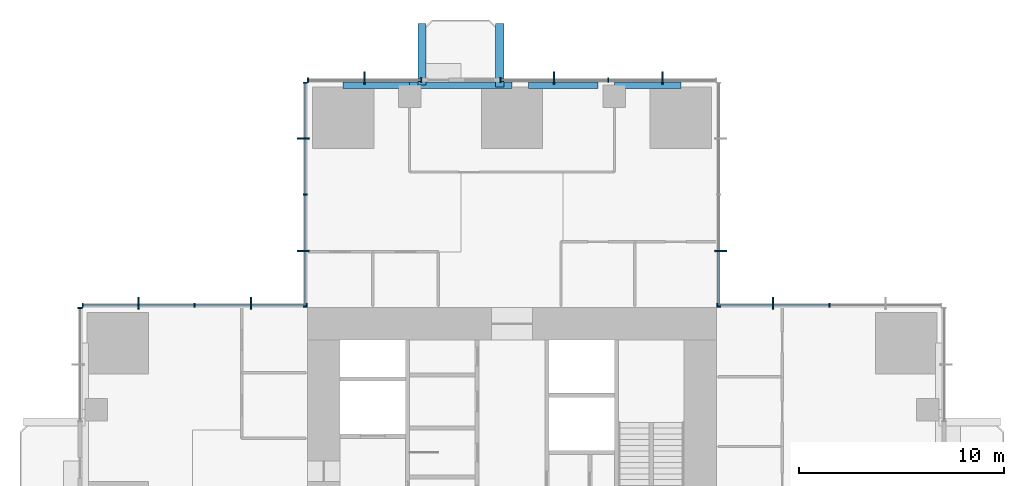
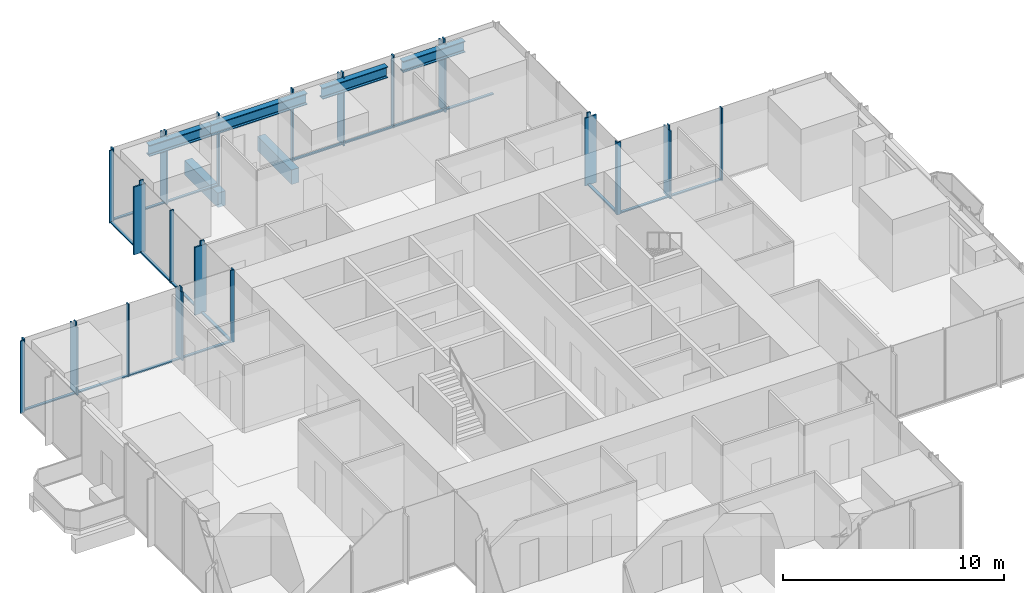
# One storey, part 5 of 13: 49 members, 6 beams, 7 elements without a shape of their own.
"""IFC4 building model written with IfcOpenShell, lengths in metres."""

from ifc_helpers import new_model, si_unit, direction, frame, origin, origin_2d, place, context, subcontext, project, spatial, rectangle, i_section, extrude, material, material_profile, profile_set, type_object, element, aggregate, save


model = new_model("IFC4")

# Units and contexts
model_context = context("Model", 3, precision=1e-05, world=origin(), true_north=direction((0.0, 1.0)))
body_context = subcontext(model_context, "Body", "Model", "MODEL_VIEW")
ifc_project = project(units=[si_unit("LENGTHUNIT", "METRE"), si_unit("AREAUNIT", "SQUARE_METRE"), si_unit("VOLUMEUNIT", "CUBIC_METRE"), si_unit("PLANEANGLEUNIT", "RADIAN"), si_unit("MASSUNIT", "GRAM", prefix="KILO")], contexts=[model_context])

# Site, building, storey
site_placement = place(None, origin())
site = spatial("IfcSite", under=ifc_project, at=site_placement, CompositionType="ELEMENT")
building_placement = place(site_placement, origin())
building = spatial("IfcBuilding", under=site, at=building_placement, Name="Svetlomir Tower", CompositionType="ELEMENT")
storey_placement = place(building_placement, frame((0.0, 0.0, 132.5)))
storey = spatial("IfcBuildingStorey", under=building, at=storey_placement, Name="L31", CompositionType="ELEMENT", Elevation=132.5)

# Beams
ifc_material_1 = material(Name="Concrete C60/75", Category="concrete")
ifc_material_profile_1 = material_profile(ifc_material_1, rectangle(XDim=0.39990234375, YDim=0.800048828125, at=origin_2d()), Name="RC 400x800")
ifc_profile_set_1 = profile_set([ifc_material_profile_1], Name="Concrete C60/75")
beam_type_1 = type_object("IfcBeamType", Name="BALCONY RIB RC 400x800", PredefinedType="BEAM", material=ifc_profile_set_1)
beam_1_placement = place(storey_placement, frame((16.60009765625, 41.85009765625, -0.64990234375), z_axis=(0.0, 1.0, 0.0), x_axis=(-1.0, 0.0, 0.0)))
element("IfcBeam", 1, at=beam_1_placement, inside=storey, type_object=beam_type_1, Name="Balcony rib N 1 L31", PredefinedType="BEAM", context=body_context, shape_type="SweptSolid", body=[
    extrude(rectangle(XDim=0.39990234375, YDim=0.800048828125, at=origin_2d()), origin(), (0.0, 0.0, 1.0), 3.0),
])
beam_2_placement = place(storey_placement, frame((20.39990234375, 41.75, -0.64990234375), z_axis=(0.0, 1.0, 0.0), x_axis=(-1.0, 0.0, 0.0)))
element("IfcBeam", 2, at=beam_2_placement, inside=storey, type_object=beam_type_1, Name="Balcony rib N 2 L31", PredefinedType="BEAM", context=body_context, shape_type="SweptSolid", body=[
    extrude(rectangle(XDim=0.39990234375, YDim=0.800048828125, at=origin_2d()), origin(), (0.0, 0.0, 1.0), 3.10009765625),
])

# Curtain wall, member
ifc_material_2 = material(Name="Bronze anodised aluminium curtain wall", Category="aluminium")
curtain_wall_type = type_object("IfcCurtainWallType", Name="CURTAIN WALL CW1 TOWER OFFICE", PredefinedType="NOTDEFINED", material=ifc_material_2)
curtain_wall_1_placement = place(storey_placement, origin())
curtain_wall_1 = element("IfcCurtainWall", 3, at=curtain_wall_1_placement, inside=storey, type_object=curtain_wall_type, Name="Curtain wall CW1 L31", PredefinedType="NOTDEFINED")
ifc_material_3 = material(Name="Bronze anodised aluminium", Category="aluminium")
ifc_material_profile_2 = material_profile(ifc_material_3, rectangle(XDim=0.080078125, YDim=0.60009765625, at=origin_2d()), Name="FIN 80x600")
ifc_profile_set_2 = profile_set([ifc_material_profile_2], Name="Bronze anodised aluminium 6063-T6")
member_type_1 = type_object("IfcMemberType", Name="BRONZE FIN 80x600", PredefinedType="USERDEFINED", material=ifc_profile_set_2)
member_1_placement = place(storey_placement, frame((33.75, 31.199951171875, 0.0), z_axis=(0.0, 0.0, 1.0), x_axis=(1.0, 0.0, 0.0)))
member_1 = element("IfcMember", 4, at=member_1_placement, type_object=member_type_1, Name="Bronze fin L31", ObjectType="FIN", PredefinedType="USERDEFINED", context=body_context, shape_type="SweptSolid", body=[
    extrude(rectangle(XDim=0.080078125, YDim=0.60009765625, at=origin_2d()), origin(), (0.0, 0.0, 1.0), 3.75),
])

curtain_wall_2_placement = place(storey_placement, origin())
curtain_wall_2 = element("IfcCurtainWall", 5, at=curtain_wall_2_placement, inside=storey, type_object=curtain_wall_type, Name="Curtain wall CW1 L31", PredefinedType="NOTDEFINED")
member_2_placement = place(storey_placement, frame((31.199951171875, 33.75, 0.0), z_axis=(0.0, 0.0, 1.0), x_axis=(0.0, 1.0, 0.0)))
member_2 = element("IfcMember", 6, at=member_2_placement, type_object=member_type_1, Name="Bronze fin L31", ObjectType="FIN", PredefinedType="USERDEFINED", context=body_context, shape_type="SweptSolid", body=[
    extrude(rectangle(XDim=0.080078125, YDim=0.60009765625, at=origin_2d()), origin(), (0.0, 0.0, 1.0), 3.75),
])

# Curtain wall, members
curtain_wall_3_placement = place(storey_placement, origin())
curtain_wall_3 = element("IfcCurtainWall", 7, at=curtain_wall_3_placement, inside=storey, type_object=curtain_wall_type, Name="Curtain wall CW1 L31", PredefinedType="NOTDEFINED")
member_3_placement = place(storey_placement, frame((28.35009765625, 42.199951171875, 0.0), z_axis=(0.0, 0.0, 1.0), x_axis=(1.0, 0.0, 0.0)))
member_3 = element("IfcMember", 8, at=member_3_placement, type_object=member_type_1, Name="Bronze fin L31", ObjectType="FIN", PredefinedType="USERDEFINED", context=body_context, shape_type="SweptSolid", body=[
    extrude(rectangle(XDim=0.080078125, YDim=0.60009765625, at=origin_2d()), origin(), (0.0, 0.0, 1.0), 3.75),
])
member_4_placement = place(storey_placement, frame((23.050048828125, 42.199951171875, 0.0), z_axis=(0.0, 0.0, 1.0), x_axis=(1.0, 0.0, 0.0)))
member_4 = element("IfcMember", 9, at=member_4_placement, type_object=member_type_1, Name="Bronze fin L31", ObjectType="FIN", PredefinedType="USERDEFINED", context=body_context, shape_type="SweptSolid", body=[
    extrude(rectangle(XDim=0.080078125, YDim=0.60009765625, at=origin_2d()), origin(), (0.0, 0.0, 1.0), 3.75),
])

# Curtain wall, member
curtain_wall_4_placement = place(storey_placement, origin())
curtain_wall_4 = element("IfcCurtainWall", 10, at=curtain_wall_4_placement, inside=storey, type_object=curtain_wall_type, Name="Curtain wall CW1 L31", PredefinedType="NOTDEFINED")
member_5_placement = place(storey_placement, frame((13.800048828125, 42.199951171875, 0.0), z_axis=(0.0, 0.0, 1.0), x_axis=(1.0, 0.0, 0.0)))
member_5 = element("IfcMember", 11, at=member_5_placement, type_object=member_type_1, Name="Bronze fin L31", ObjectType="FIN", PredefinedType="USERDEFINED", context=body_context, shape_type="SweptSolid", body=[
    extrude(rectangle(XDim=0.080078125, YDim=0.60009765625, at=origin_2d()), origin(), (0.0, 0.0, 1.0), 3.75),
])

# Curtain wall, members
curtain_wall_5_placement = place(storey_placement, origin())
curtain_wall_5 = element("IfcCurtainWall", 12, at=curtain_wall_5_placement, inside=storey, type_object=curtain_wall_type, Name="Curtain wall CW1 L31", PredefinedType="NOTDEFINED")
member_6_placement = place(storey_placement, frame((10.800048828125, 39.25, 0.0), z_axis=(0.0, 0.0, 1.0), x_axis=(0.0, 1.0, 0.0)))
member_6 = element("IfcMember", 13, at=member_6_placement, type_object=member_type_1, Name="Bronze fin L31", ObjectType="FIN", PredefinedType="USERDEFINED", context=body_context, shape_type="SweptSolid", body=[
    extrude(rectangle(XDim=0.080078125, YDim=0.60009765625, at=origin_2d()), origin(), (0.0, 0.0, 1.0), 3.75),
])
member_7_placement = place(storey_placement, frame((10.800048828125, 33.75, 0.0), z_axis=(0.0, 0.0, 1.0), x_axis=(0.0, 1.0, 0.0)))
member_7 = element("IfcMember", 14, at=member_7_placement, type_object=member_type_1, Name="Bronze fin L31", ObjectType="FIN", PredefinedType="USERDEFINED", context=body_context, shape_type="SweptSolid", body=[
    extrude(rectangle(XDim=0.080078125, YDim=0.60009765625, at=origin_2d()), origin(), (0.0, 0.0, 1.0), 3.75),
])

curtain_wall_6_placement = place(storey_placement, origin())
curtain_wall_6 = element("IfcCurtainWall", 15, at=curtain_wall_6_placement, inside=storey, type_object=curtain_wall_type, Name="Curtain wall CW1 L31", PredefinedType="NOTDEFINED")
member_8_placement = place(storey_placement, frame((8.25, 31.199951171875, 0.0), z_axis=(0.0, 0.0, 1.0), x_axis=(1.0, 0.0, 0.0)))
member_8 = element("IfcMember", 16, at=member_8_placement, type_object=member_type_1, Name="Bronze fin L31", ObjectType="FIN", PredefinedType="USERDEFINED", context=body_context, shape_type="SweptSolid", body=[
    extrude(rectangle(XDim=0.080078125, YDim=0.60009765625, at=origin_2d()), origin(), (0.0, 0.0, 1.0), 3.75),
])
member_9_placement = place(storey_placement, frame((2.75, 31.199951171875, 0.0), z_axis=(0.0, 0.0, 1.0), x_axis=(1.0, 0.0, 0.0)))
member_9 = element("IfcMember", 17, at=member_9_placement, type_object=member_type_1, Name="Bronze fin L31", ObjectType="FIN", PredefinedType="USERDEFINED", context=body_context, shape_type="SweptSolid", body=[
    extrude(rectangle(XDim=0.080078125, YDim=0.60009765625, at=origin_2d()), origin(), (0.0, 0.0, 1.0), 3.75),
])

# Member
ifc_material_4 = material(Name="Bronze anodised aluminium", Category="aluminium")
ifc_material_profile_3 = material_profile(ifc_material_4, rectangle(XDim=0.06494140625, YDim=0.199951171875, at=origin_2d()), Name="AL 65x200")
ifc_profile_set_3 = profile_set([ifc_material_profile_3], Name="Bronze anodised aluminium 6063-T6")
member_type_2 = type_object("IfcMemberType", Name="CW1 MULLION 65x200", PredefinedType="MULLION", material=ifc_profile_set_3)
member_10_placement = place(storey_placement, frame((36.5, 31.10009765625, 0.0), z_axis=(0.0, 0.0, 1.0), x_axis=(-1.0, 0.0, 0.0)))
member_10 = element("IfcMember", 18, at=member_10_placement, type_object=member_type_2, Name="CW1 mullion 3", PredefinedType="MULLION", context=body_context, shape_type="SweptSolid", body=[
    extrude(rectangle(XDim=0.06494140625, YDim=0.199951171875, at=origin_2d()), origin(), (0.0, 0.0, 1.0), 4.0),
])

member_11_placement = place(storey_placement, frame((33.75, 31.10009765625, 0.0), z_axis=(0.0, 0.0, 1.0), x_axis=(-1.0, 0.0, 0.0)))
member_11 = element("IfcMember", 19, at=member_11_placement, type_object=member_type_2, Name="CW1 mullion 4", PredefinedType="MULLION", context=body_context, shape_type="SweptSolid", body=[
    extrude(rectangle(XDim=0.06494140625, YDim=0.199951171875, at=origin_2d()), origin(), (0.0, 0.0, 1.0), 4.0),
])

member_12_placement = place(storey_placement, frame((31.032470703125, 31.10009765625, 0.0), z_axis=(0.0, 0.0, 1.0), x_axis=(-1.0, 0.0, 0.0)))
member_12 = element("IfcMember", 20, at=member_12_placement, type_object=member_type_2, Name="CW1 mullion 5", PredefinedType="MULLION", context=body_context, shape_type="SweptSolid", body=[
    extrude(rectangle(XDim=0.06494140625, YDim=0.199951171875, at=origin_2d()), origin(), (0.0, 0.0, 1.0), 4.0),
])

member_13_placement = place(storey_placement, frame((31.10009765625, 31.032470703125, 0.0), z_axis=(0.0, 0.0, 1.0), x_axis=(0.0, 1.0, 0.0)))
member_13 = element("IfcMember", 21, at=member_13_placement, type_object=member_type_2, Name="CW1 mullion 1", PredefinedType="MULLION", context=body_context, shape_type="SweptSolid", body=[
    extrude(rectangle(XDim=0.06494140625, YDim=0.199951171875, at=origin_2d()), origin(), (0.0, 0.0, 1.0), 4.0),
])

member_14_placement = place(storey_placement, frame((31.10009765625, 33.75, 0.0), z_axis=(0.0, 0.0, 1.0), x_axis=(0.0, 1.0, 0.0)))
member_14 = element("IfcMember", 22, at=member_14_placement, type_object=member_type_2, Name="CW1 mullion 2", PredefinedType="MULLION", context=body_context, shape_type="SweptSolid", body=[
    extrude(rectangle(XDim=0.06494140625, YDim=0.199951171875, at=origin_2d()), origin(), (0.0, 0.0, 1.0), 4.0),
])

member_15_placement = place(storey_placement, frame((28.35009765625, 42.10009765625, 0.0), z_axis=(0.0, 0.0, 1.0), x_axis=(-1.0, 0.0, 0.0)))
member_15 = element("IfcMember", 23, at=member_15_placement, type_object=member_type_2, Name="CW1 mullion 2", PredefinedType="MULLION", context=body_context, shape_type="SweptSolid", body=[
    extrude(rectangle(XDim=0.06494140625, YDim=0.199951171875, at=origin_2d()), origin(), (0.0, 0.0, 1.0), 4.0),
])

member_16_placement = place(storey_placement, frame((25.699951171875, 42.10009765625, 0.0), z_axis=(0.0, 0.0, 1.0), x_axis=(-1.0, 0.0, 0.0)))
member_16 = element("IfcMember", 24, at=member_16_placement, type_object=member_type_2, Name="CW1 mullion 3", PredefinedType="MULLION", context=body_context, shape_type="SweptSolid", body=[
    extrude(rectangle(XDim=0.06494140625, YDim=0.199951171875, at=origin_2d()), origin(), (0.0, 0.0, 1.0), 4.0),
])

member_17_placement = place(storey_placement, frame((23.050048828125, 42.10009765625, 0.0), z_axis=(0.0, 0.0, 1.0), x_axis=(-1.0, 0.0, 0.0)))
member_17 = element("IfcMember", 25, at=member_17_placement, type_object=member_type_2, Name="CW1 mullion 4", PredefinedType="MULLION", context=body_context, shape_type="SweptSolid", body=[
    extrude(rectangle(XDim=0.06494140625, YDim=0.199951171875, at=origin_2d()), origin(), (0.0, 0.0, 1.0), 4.0),
])

member_18_placement = place(storey_placement, frame((20.4326171875, 42.10009765625, 0.0), z_axis=(0.0, 0.0, 1.0), x_axis=(-1.0, 0.0, 0.0)))
member_18 = element("IfcMember", 26, at=member_18_placement, type_object=member_type_2, Name="CW1 mullion 5", PredefinedType="MULLION", context=body_context, shape_type="SweptSolid", body=[
    extrude(rectangle(XDim=0.06494140625, YDim=0.199951171875, at=origin_2d()), origin(), (0.0, 0.0, 1.0), 4.0),
])

member_19_placement = place(storey_placement, frame((16.5673828125, 42.10009765625, 0.0), z_axis=(0.0, 0.0, 1.0), x_axis=(-1.0, 0.0, 0.0)))
member_19 = element("IfcMember", 27, at=member_19_placement, type_object=member_type_2, Name="CW1 mullion 1", PredefinedType="MULLION", context=body_context, shape_type="SweptSolid", body=[
    extrude(rectangle(XDim=0.06494140625, YDim=0.199951171875, at=origin_2d()), origin(), (0.0, 0.0, 1.0), 4.0),
])

member_20_placement = place(storey_placement, frame((13.800048828125, 42.10009765625, 0.0), z_axis=(0.0, 0.0, 1.0), x_axis=(-1.0, 0.0, 0.0)))
member_20 = element("IfcMember", 28, at=member_20_placement, type_object=member_type_2, Name="CW1 mullion 2", PredefinedType="MULLION", context=body_context, shape_type="SweptSolid", body=[
    extrude(rectangle(XDim=0.06494140625, YDim=0.199951171875, at=origin_2d()), origin(), (0.0, 0.0, 1.0), 4.0),
])

member_21_placement = place(storey_placement, frame((11.032470703125, 42.10009765625, 0.0), z_axis=(0.0, 0.0, 1.0), x_axis=(-1.0, 0.0, 0.0)))
member_21 = element("IfcMember", 29, at=member_21_placement, type_object=member_type_2, Name="CW1 mullion 3", PredefinedType="MULLION", context=body_context, shape_type="SweptSolid", body=[
    extrude(rectangle(XDim=0.06494140625, YDim=0.199951171875, at=origin_2d()), origin(), (0.0, 0.0, 1.0), 4.0),
])

member_22_placement = place(storey_placement, frame((10.89990234375, 41.967529296875, 0.0), z_axis=(0.0, 0.0, 1.0), x_axis=(0.0, -1.0, 0.0)))
member_22 = element("IfcMember", 30, at=member_22_placement, type_object=member_type_2, Name="CW1 mullion 1", PredefinedType="MULLION", context=body_context, shape_type="SweptSolid", body=[
    extrude(rectangle(XDim=0.06494140625, YDim=0.199951171875, at=origin_2d()), origin(), (0.0, 0.0, 1.0), 4.0),
])

member_23_placement = place(storey_placement, frame((10.89990234375, 39.25, 0.0), z_axis=(0.0, 0.0, 1.0), x_axis=(0.0, -1.0, 0.0)))
member_23 = element("IfcMember", 31, at=member_23_placement, type_object=member_type_2, Name="CW1 mullion 2", PredefinedType="MULLION", context=body_context, shape_type="SweptSolid", body=[
    extrude(rectangle(XDim=0.06494140625, YDim=0.199951171875, at=origin_2d()), origin(), (0.0, 0.0, 1.0), 4.0),
])

member_24_placement = place(storey_placement, frame((10.89990234375, 36.5, 0.0), z_axis=(0.0, 0.0, 1.0), x_axis=(0.0, -1.0, 0.0)))
member_24 = element("IfcMember", 32, at=member_24_placement, type_object=member_type_2, Name="CW1 mullion 3", PredefinedType="MULLION", context=body_context, shape_type="SweptSolid", body=[
    extrude(rectangle(XDim=0.06494140625, YDim=0.199951171875, at=origin_2d()), origin(), (0.0, 0.0, 1.0), 4.0),
])

member_25_placement = place(storey_placement, frame((10.89990234375, 33.75, 0.0), z_axis=(0.0, 0.0, 1.0), x_axis=(0.0, -1.0, 0.0)))
member_25 = element("IfcMember", 33, at=member_25_placement, type_object=member_type_2, Name="CW1 mullion 4", PredefinedType="MULLION", context=body_context, shape_type="SweptSolid", body=[
    extrude(rectangle(XDim=0.06494140625, YDim=0.199951171875, at=origin_2d()), origin(), (0.0, 0.0, 1.0), 4.0),
])

member_26_placement = place(storey_placement, frame((10.89990234375, 31.032470703125, 0.0), z_axis=(0.0, 0.0, 1.0), x_axis=(0.0, -1.0, 0.0)))
member_26 = element("IfcMember", 34, at=member_26_placement, type_object=member_type_2, Name="CW1 mullion 5", PredefinedType="MULLION", context=body_context, shape_type="SweptSolid", body=[
    extrude(rectangle(XDim=0.06494140625, YDim=0.199951171875, at=origin_2d()), origin(), (0.0, 0.0, 1.0), 4.0),
])

member_27_placement = place(storey_placement, frame((10.967529296875, 31.10009765625, 0.0), z_axis=(0.0, 0.0, 1.0), x_axis=(-1.0, 0.0, 0.0)))
member_27 = element("IfcMember", 35, at=member_27_placement, type_object=member_type_2, Name="CW1 mullion 1", PredefinedType="MULLION", context=body_context, shape_type="SweptSolid", body=[
    extrude(rectangle(XDim=0.06494140625, YDim=0.199951171875, at=origin_2d()), origin(), (0.0, 0.0, 1.0), 4.0),
])

member_28_placement = place(storey_placement, frame((8.25, 31.10009765625, 0.0), z_axis=(0.0, 0.0, 1.0), x_axis=(-1.0, 0.0, 0.0)))
member_28 = element("IfcMember", 36, at=member_28_placement, type_object=member_type_2, Name="CW1 mullion 2", PredefinedType="MULLION", context=body_context, shape_type="SweptSolid", body=[
    extrude(rectangle(XDim=0.06494140625, YDim=0.199951171875, at=origin_2d()), origin(), (0.0, 0.0, 1.0), 4.0),
])

member_29_placement = place(storey_placement, frame((5.5, 31.10009765625, 0.0), z_axis=(0.0, 0.0, 1.0), x_axis=(-1.0, 0.0, 0.0)))
member_29 = element("IfcMember", 37, at=member_29_placement, type_object=member_type_2, Name="CW1 mullion 3", PredefinedType="MULLION", context=body_context, shape_type="SweptSolid", body=[
    extrude(rectangle(XDim=0.06494140625, YDim=0.199951171875, at=origin_2d()), origin(), (0.0, 0.0, 1.0), 4.0),
])

member_30_placement = place(storey_placement, frame((2.75, 31.10009765625, 0.0), z_axis=(0.0, 0.0, 1.0), x_axis=(-1.0, 0.0, 0.0)))
member_30 = element("IfcMember", 38, at=member_30_placement, type_object=member_type_2, Name="CW1 mullion 4", PredefinedType="MULLION", context=body_context, shape_type="SweptSolid", body=[
    extrude(rectangle(XDim=0.06494140625, YDim=0.199951171875, at=origin_2d()), origin(), (0.0, 0.0, 1.0), 4.0),
])

member_31_placement = place(storey_placement, frame((0.032470703125, 31.10009765625, 0.0), z_axis=(0.0, 0.0, 1.0), x_axis=(-1.0, 0.0, 0.0)))
member_31 = element("IfcMember", 39, at=member_31_placement, type_object=member_type_2, Name="CW1 mullion 5", PredefinedType="MULLION", context=body_context, shape_type="SweptSolid", body=[
    extrude(rectangle(XDim=0.06494140625, YDim=0.199951171875, at=origin_2d()), origin(), (0.0, 0.0, 1.0), 4.0),
])

# Curtain wall, member
curtain_wall_7_placement = place(storey_placement, origin())
curtain_wall_7 = element("IfcCurtainWall", 40, at=curtain_wall_7_placement, inside=storey, type_object=curtain_wall_type, Name="Curtain wall CW1 L31", PredefinedType="NOTDEFINED")
member_32_placement = place(storey_placement, frame((-0.10009765625, 30.967529296875, 0.0), z_axis=(0.0, 0.0, 1.0), x_axis=(0.0, -1.0, 0.0)))
member_32 = element("IfcMember", 41, at=member_32_placement, type_object=member_type_2, Name="CW1 mullion 1", PredefinedType="MULLION", context=body_context, shape_type="SweptSolid", body=[
    extrude(rectangle(XDim=0.06494140625, YDim=0.199951171875, at=origin_2d()), origin(), (0.0, 0.0, 1.0), 4.0),
])
aggregate(curtain_wall_7, [member_32])

# Member
ifc_material_5 = material(Name="Bronze anodised aluminium", Category="aluminium")
ifc_material_profile_4 = material_profile(ifc_material_5, rectangle(XDim=0.139892578125, YDim=0.06494140625, at=origin_2d()), Name="AL 140x65")
ifc_profile_set_4 = profile_set([ifc_material_profile_4], Name="Bronze anodised aluminium 6063-T6")
member_type_3 = type_object("IfcMemberType", Name="CW1 TRANSOM 65x140", PredefinedType="USERDEFINED", material=ifc_profile_set_4)
member_33_placement = place(storey_placement, frame((36.467529296875, 31.10009765625, 0.032470703125), z_axis=(-1.0, 0.0, 0.0), x_axis=(0.0, -1.0, 0.0)))
member_33 = element("IfcMember", 42, at=member_33_placement, type_object=member_type_3, Name="CW1 transom 3.1", ObjectType="TRANSOM", PredefinedType="USERDEFINED", context=body_context, shape_type="SweptSolid", body=[
    extrude(rectangle(XDim=0.139892578125, YDim=0.06494140625, at=origin_2d()), origin(), (0.0, 0.0, 1.0), 2.68505859375),
])

member_34_placement = place(storey_placement, frame((33.717529296875, 31.10009765625, 0.032470703125), z_axis=(-1.0, 0.0, 0.0), x_axis=(0.0, -1.0, 0.0)))
member_34 = element("IfcMember", 43, at=member_34_placement, type_object=member_type_3, Name="CW1 transom 4.1", ObjectType="TRANSOM", PredefinedType="USERDEFINED", context=body_context, shape_type="SweptSolid", body=[
    extrude(rectangle(XDim=0.139892578125, YDim=0.06494140625, at=origin_2d()), origin(), (0.0, 0.0, 1.0), 2.652587890625),
])

aggregate(curtain_wall_1, [member_10, member_11, member_12, member_33, member_34, member_1])

member_35_placement = place(storey_placement, frame((31.10009765625, 31.06494140625, 0.032470703125), z_axis=(0.0, 1.0, 0.0), x_axis=(-1.0, 0.0, 0.0)))
member_35 = element("IfcMember", 44, at=member_35_placement, type_object=member_type_3, Name="CW1 transom 1.1", ObjectType="TRANSOM", PredefinedType="USERDEFINED", context=body_context, shape_type="SweptSolid", body=[
    extrude(rectangle(XDim=0.139892578125, YDim=0.06494140625, at=origin_2d()), origin(), (0.0, 0.0, 1.0), 2.652587890625),
])

aggregate(curtain_wall_2, [member_13, member_14, member_35, member_2])

member_36_placement = place(storey_placement, frame((30.93505859375, 42.10009765625, 0.032470703125), z_axis=(-1.0, 0.0, 0.0), x_axis=(0.0, -1.0, 0.0)))
member_36 = element("IfcMember", 45, at=member_36_placement, type_object=member_type_3, Name="CW1 transom 1.1", ObjectType="TRANSOM", PredefinedType="USERDEFINED", context=body_context, shape_type="SweptSolid", body=[
    extrude(rectangle(XDim=0.139892578125, YDim=0.06494140625, at=origin_2d()), origin(), (0.0, 0.0, 1.0), 2.552490234375),
])

member_37_placement = place(storey_placement, frame((28.3173828125, 42.10009765625, 0.032470703125), z_axis=(-1.0, 0.0, 0.0), x_axis=(0.0, -1.0, 0.0)))
member_37 = element("IfcMember", 46, at=member_37_placement, type_object=member_type_3, Name="CW1 transom 2.1", ObjectType="TRANSOM", PredefinedType="USERDEFINED", context=body_context, shape_type="SweptSolid", body=[
    extrude(rectangle(XDim=0.139892578125, YDim=0.06494140625, at=origin_2d()), origin(), (0.0, 0.0, 1.0), 2.5849609375),
])

member_38_placement = place(storey_placement, frame((25.66748046875, 42.10009765625, 0.032470703125), z_axis=(-1.0, 0.0, 0.0), x_axis=(0.0, -1.0, 0.0)))
member_38 = element("IfcMember", 47, at=member_38_placement, type_object=member_type_3, Name="CW1 transom 3.1", ObjectType="TRANSOM", PredefinedType="USERDEFINED", context=body_context, shape_type="SweptSolid", body=[
    extrude(rectangle(XDim=0.139892578125, YDim=0.06494140625, at=origin_2d()), origin(), (0.0, 0.0, 1.0), 2.5849609375),
])

member_39_placement = place(storey_placement, frame((23.017578125, 42.10009765625, 0.032470703125), z_axis=(-1.0, 0.0, 0.0), x_axis=(0.0, -1.0, 0.0)))
member_39 = element("IfcMember", 48, at=member_39_placement, type_object=member_type_3, Name="CW1 transom 4.1", ObjectType="TRANSOM", PredefinedType="USERDEFINED", context=body_context, shape_type="SweptSolid", body=[
    extrude(rectangle(XDim=0.139892578125, YDim=0.06494140625, at=origin_2d()), origin(), (0.0, 0.0, 1.0), 2.552490234375),
])

aggregate(curtain_wall_3, [member_15, member_16, member_17, member_18, member_36, member_37, member_38, member_39, member_3, member_4])

member_40_placement = place(storey_placement, frame((16.534912109375, 42.10009765625, 0.032470703125), z_axis=(-1.0, 0.0, 0.0), x_axis=(0.0, -1.0, 0.0)))
member_40 = element("IfcMember", 49, at=member_40_placement, type_object=member_type_3, Name="CW1 transom 1.1", ObjectType="TRANSOM", PredefinedType="USERDEFINED", context=body_context, shape_type="SweptSolid", body=[
    extrude(rectangle(XDim=0.139892578125, YDim=0.06494140625, at=origin_2d()), origin(), (0.0, 0.0, 1.0), 2.702392578125),
])

member_41_placement = place(storey_placement, frame((13.767578125, 42.10009765625, 0.032470703125), z_axis=(-1.0, 0.0, 0.0), x_axis=(0.0, -1.0, 0.0)))
member_41 = element("IfcMember", 50, at=member_41_placement, type_object=member_type_3, Name="CW1 transom 2.1", ObjectType="TRANSOM", PredefinedType="USERDEFINED", context=body_context, shape_type="SweptSolid", body=[
    extrude(rectangle(XDim=0.139892578125, YDim=0.06494140625, at=origin_2d()), origin(), (0.0, 0.0, 1.0), 2.70263671875),
])

aggregate(curtain_wall_4, [member_19, member_20, member_21, member_40, member_41, member_5])

member_42_placement = place(storey_placement, frame((10.89990234375, 41.93505859375, 0.032470703125), z_axis=(0.0, -1.0, 0.0), x_axis=(1.0, 0.0, 0.0)))
member_42 = element("IfcMember", 51, at=member_42_placement, type_object=member_type_3, Name="CW1 transom 1.1", ObjectType="TRANSOM", PredefinedType="USERDEFINED", context=body_context, shape_type="SweptSolid", body=[
    extrude(rectangle(XDim=0.139892578125, YDim=0.06494140625, at=origin_2d()), origin(), (0.0, 0.0, 1.0), 2.652587890625),
])

member_43_placement = place(storey_placement, frame((10.89990234375, 39.217529296875, 0.032470703125), z_axis=(0.0, -1.0, 0.0), x_axis=(1.0, 0.0, 0.0)))
member_43 = element("IfcMember", 52, at=member_43_placement, type_object=member_type_3, Name="CW1 transom 2.1", ObjectType="TRANSOM", PredefinedType="USERDEFINED", context=body_context, shape_type="SweptSolid", body=[
    extrude(rectangle(XDim=0.139892578125, YDim=0.06494140625, at=origin_2d()), origin(), (0.0, 0.0, 1.0), 2.68505859375),
])

member_44_placement = place(storey_placement, frame((10.89990234375, 36.467529296875, 0.032470703125), z_axis=(0.0, -1.0, 0.0), x_axis=(1.0, 0.0, 0.0)))
member_44 = element("IfcMember", 53, at=member_44_placement, type_object=member_type_3, Name="CW1 transom 3.1", ObjectType="TRANSOM", PredefinedType="USERDEFINED", context=body_context, shape_type="SweptSolid", body=[
    extrude(rectangle(XDim=0.139892578125, YDim=0.06494140625, at=origin_2d()), origin(), (0.0, 0.0, 1.0), 2.68505859375),
])

member_45_placement = place(storey_placement, frame((10.89990234375, 33.717529296875, 0.032470703125), z_axis=(0.0, -1.0, 0.0), x_axis=(1.0, 0.0, 0.0)))
member_45 = element("IfcMember", 54, at=member_45_placement, type_object=member_type_3, Name="CW1 transom 4.1", ObjectType="TRANSOM", PredefinedType="USERDEFINED", context=body_context, shape_type="SweptSolid", body=[
    extrude(rectangle(XDim=0.139892578125, YDim=0.06494140625, at=origin_2d()), origin(), (0.0, 0.0, 1.0), 2.652587890625),
])

aggregate(curtain_wall_5, [member_22, member_23, member_24, member_25, member_26, member_42, member_43, member_44, member_45, member_6, member_7])

member_46_placement = place(storey_placement, frame((10.93505859375, 31.10009765625, 0.032470703125), z_axis=(-1.0, 0.0, 0.0), x_axis=(0.0, -1.0, 0.0)))
member_46 = element("IfcMember", 55, at=member_46_placement, type_object=member_type_3, Name="CW1 transom 1.1", ObjectType="TRANSOM", PredefinedType="USERDEFINED", context=body_context, shape_type="SweptSolid", body=[
    extrude(rectangle(XDim=0.139892578125, YDim=0.06494140625, at=origin_2d()), origin(), (0.0, 0.0, 1.0), 2.652587890625),
])

member_47_placement = place(storey_placement, frame((8.217529296875, 31.10009765625, 0.032470703125), z_axis=(-1.0, 0.0, 0.0), x_axis=(0.0, -1.0, 0.0)))
member_47 = element("IfcMember", 56, at=member_47_placement, type_object=member_type_3, Name="CW1 transom 2.1", ObjectType="TRANSOM", PredefinedType="USERDEFINED", context=body_context, shape_type="SweptSolid", body=[
    extrude(rectangle(XDim=0.139892578125, YDim=0.06494140625, at=origin_2d()), origin(), (0.0, 0.0, 1.0), 2.68505859375),
])

member_48_placement = place(storey_placement, frame((5.467529296875, 31.10009765625, 0.032470703125), z_axis=(-1.0, 0.0, 0.0), x_axis=(0.0, -1.0, 0.0)))
member_48 = element("IfcMember", 57, at=member_48_placement, type_object=member_type_3, Name="CW1 transom 3.1", ObjectType="TRANSOM", PredefinedType="USERDEFINED", context=body_context, shape_type="SweptSolid", body=[
    extrude(rectangle(XDim=0.139892578125, YDim=0.06494140625, at=origin_2d()), origin(), (0.0, 0.0, 1.0), 2.68505859375),
])

member_49_placement = place(storey_placement, frame((2.717529296875, 31.10009765625, 0.032470703125), z_axis=(-1.0, 0.0, 0.0), x_axis=(0.0, -1.0, 0.0)))
member_49 = element("IfcMember", 58, at=member_49_placement, type_object=member_type_3, Name="CW1 transom 4.1", ObjectType="TRANSOM", PredefinedType="USERDEFINED", context=body_context, shape_type="SweptSolid", body=[
    extrude(rectangle(XDim=0.139892578125, YDim=0.06494140625, at=origin_2d()), origin(), (0.0, 0.0, 1.0), 2.652587890625),
])

aggregate(curtain_wall_6, [member_27, member_28, member_29, member_30, member_31, member_46, member_47, member_48, member_49, member_8, member_9])

# Beams
ifc_material_6 = material(Name="Steel S355", Category="steel")
ifc_material_profile_5 = material_profile(ifc_material_6, i_section(OverallWidth=0.304931640625, OverallDepth=0.6201171875, WebThickness=0.02099609375, FlangeThickness=0.0400390625, FilletRadius=0.027099609375, at=origin_2d()), Name="HEM 600")
ifc_profile_set_5 = profile_set([ifc_material_profile_5], Name="Steel S355")
beam_type_2 = type_object("IfcBeamType", Name="EDGE BEAM HEM 600", PredefinedType="SPANDREL", material=ifc_profile_set_5)
beam_3_placement = place(storey_placement, frame((12.75, 41.847412109375, 3.43994140625), z_axis=(1.0, 0.0, 0.0), x_axis=(0.0, 1.0, 0.0)))
element("IfcBeam", 59, at=beam_3_placement, inside=storey, type_object=beam_type_2, Name="Edge beam 11/42 to 16/42 under L32", PredefinedType="SPANDREL", context=body_context, shape_type="SweptSolid", body=[
    extrude(i_section(OverallWidth=0.304931640625, OverallDepth=0.6201171875, WebThickness=0.02099609375, FlangeThickness=0.0400390625, FilletRadius=0.027099609375, at=origin_2d()), origin(), (0.0, 0.0, 1.0), 3.25),
])
beam_4_placement = place(storey_placement, frame((16.0, 41.847412109375, 3.43994140625), z_axis=(1.0, 0.0, 0.0), x_axis=(0.0, 1.0, 0.0)))
element("IfcBeam", 60, at=beam_4_placement, inside=storey, type_object=beam_type_2, Name="Edge beam 16/42 to 21/42 under L32", PredefinedType="SPANDREL", context=body_context, shape_type="SweptSolid", body=[
    extrude(i_section(OverallWidth=0.304931640625, OverallDepth=0.6201171875, WebThickness=0.02099609375, FlangeThickness=0.0400390625, FilletRadius=0.027099609375, at=origin_2d()), origin(), (0.0, 0.0, 1.0), 5.0),
])
beam_5_placement = place(storey_placement, frame((21.800048828125, 41.847412109375, 3.43994140625), z_axis=(1.0, 0.0, 0.0), x_axis=(0.0, 1.0, 0.0)))
element("IfcBeam", 61, at=beam_5_placement, inside=storey, type_object=beam_type_2, Name="Edge beam 21/42 to 26/42 under L32", PredefinedType="SPANDREL", context=body_context, shape_type="SweptSolid", body=[
    extrude(i_section(OverallWidth=0.304931640625, OverallDepth=0.6201171875, WebThickness=0.02099609375, FlangeThickness=0.0400390625, FilletRadius=0.027099609375, at=origin_2d()), origin(), (0.0, 0.0, 1.0), 3.39990234375),
])
beam_6_placement = place(storey_placement, frame((26.0, 41.847412109375, 3.43994140625), z_axis=(1.0, 0.0, 0.0), x_axis=(0.0, 1.0, 0.0)))
element("IfcBeam", 62, at=beam_6_placement, inside=storey, type_object=beam_type_2, Name="Edge beam 26/42 to 31/42 under L32", PredefinedType="SPANDREL", context=body_context, shape_type="SweptSolid", body=[
    extrude(i_section(OverallWidth=0.304931640625, OverallDepth=0.6201171875, WebThickness=0.02099609375, FlangeThickness=0.0400390625, FilletRadius=0.027099609375, at=origin_2d()), origin(), (0.0, 0.0, 1.0), 3.25),
])

save(model, "model.ifc")
